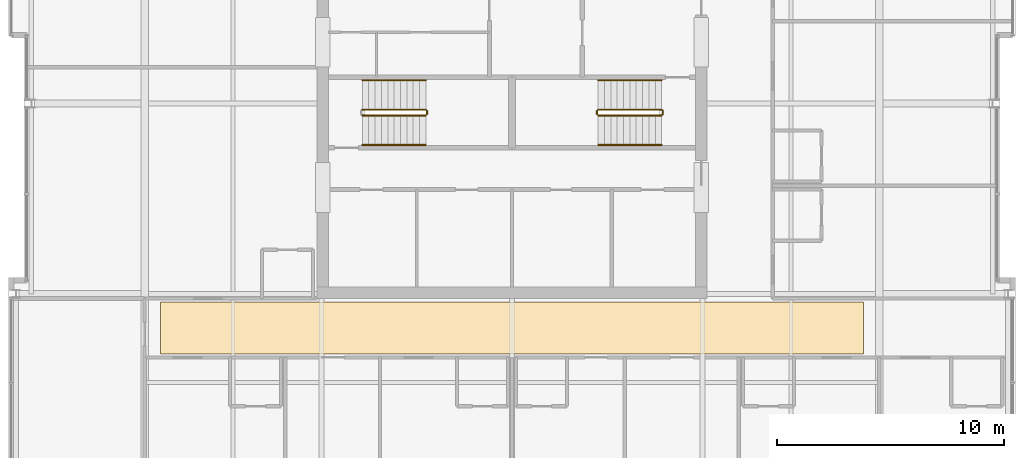
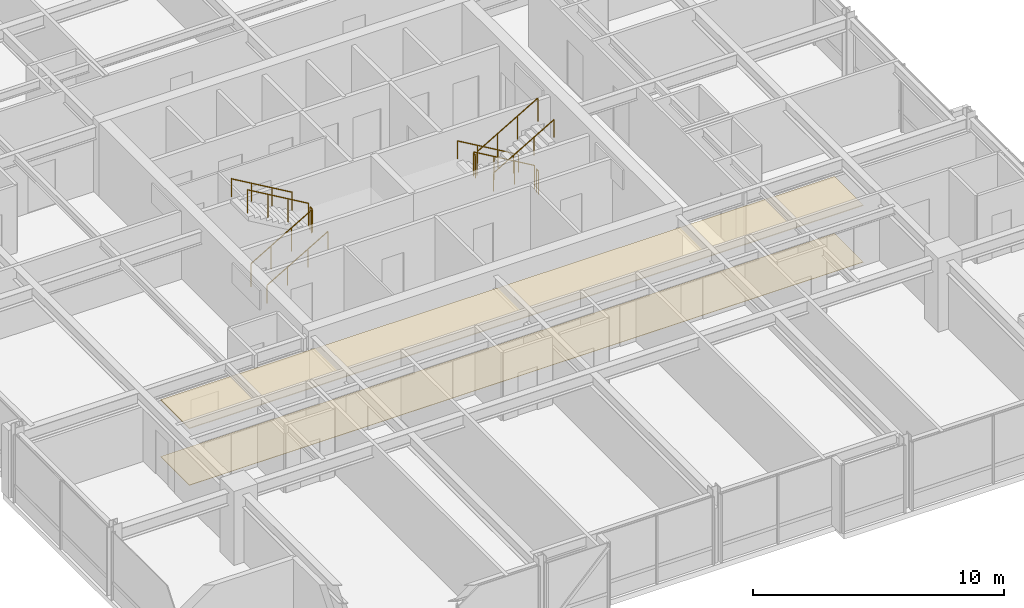
# One storey, part 33 of 34: 11 railings, 2 coverings.
"""IFC4 building model written with IfcOpenShell, lengths in metres."""

from ifc_helpers import new_model, si_unit, direction, frame, origin, origin_2d, place, context, subcontext, project, spatial, polyline, circle, outline, extrude, material, layer, layer_set, type_object, element, save


model = new_model("IFC4")

# Units and contexts
model_context = context("Model", 3, precision=1e-05, world=origin(), true_north=direction((0.0, 1.0)))
body_context = subcontext(model_context, "Body", "Model", "MODEL_VIEW")
ifc_project = project(units=[si_unit("LENGTHUNIT", "METRE"), si_unit("AREAUNIT", "SQUARE_METRE"), si_unit("VOLUMEUNIT", "CUBIC_METRE"), si_unit("PLANEANGLEUNIT", "RADIAN"), si_unit("MASSUNIT", "GRAM", prefix="KILO")], contexts=[model_context])

# Site, building, storey
site_placement = place(None, origin())
site = spatial("IfcSite", under=ifc_project, at=site_placement, CompositionType="ELEMENT")
building_placement = place(site_placement, origin())
building = spatial("IfcBuilding", under=site, at=building_placement, Name="Drelvath Grand Hotel", CompositionType="ELEMENT")
storey_placement = place(building_placement, frame((0.0, 0.0, 251.89990234375)))
storey = spatial("IfcBuildingStorey", under=building, at=storey_placement, Name="L66", CompositionType="ELEMENT", Elevation=251.89990234375)

# Railings
ifc_material_1 = material(Name="Painted Steel S275", Category="steel")
railing_type_1 = type_object("IfcRailingType", Name="Core Stair Wall Handrail 900", PredefinedType="HANDRAIL", material=ifc_material_1)
railing_1_placement = place(storey_placement, frame((-6.60009765625, 25.169921875, 0.163818359375)))
element("IfcRailing", 1, at=railing_1_placement, inside=storey, type_object=railing_type_1, Name="L66 ST-1 stair handrail 1", PredefinedType="HANDRAIL", context=body_context, shape_type="SweptSolid", body=[
    extrude(circle(Radius=0.02392578125, at=origin_2d()), frame((0.0, 0.0, 0.8759765625), z_axis=(0.863393664356, 0.0, 0.504530851732), x_axis=(0.0, 1.0, 0.0)), (0.0, 0.0, 1.0), 3.2431640625),
    extrude(circle(Radius=0.02099609375, at=origin_2d()), origin(), (0.0, 0.0, 1.0), 0.851806640625),
    extrude(circle(Radius=0.02099609375, at=origin_2d()), frame((0.933349609375, 0.0, 0.54541015625)), (0.0, 0.0, 1.0), 0.851806640625),
    extrude(circle(Radius=0.02099609375, at=origin_2d()), frame((1.86669921875, 0.0, 1.0908203125)), (0.0, 0.0, 1.0), 0.851806640625),
    extrude(circle(Radius=0.02099609375, at=origin_2d()), frame((2.800048828125, 0.0, 1.63623046875)), (0.0, 0.0, 1.0), 0.851806640625),
])
railing_2_placement = place(storey_placement, frame((-3.800048828125, 28.030029296875, 1.963623046875)))
element("IfcRailing", 2, at=railing_2_placement, inside=storey, type_object=railing_type_1, Name="L66 ST-1 stair handrail 2", PredefinedType="HANDRAIL", context=body_context, shape_type="SweptSolid", body=[
    extrude(circle(Radius=0.02392578125, at=origin_2d()), frame((0.0, 0.0, 0.8759765625), z_axis=(-0.863360870873, 0.0, 0.504586966384), x_axis=(0.0, -1.0, 0.0)), (0.0, 0.0, 1.0), 3.2431640625),
    extrude(circle(Radius=0.02099609375, at=origin_2d()), origin(), (0.0, 0.0, 1.0), 0.851806640625),
    extrude(circle(Radius=0.02099609375, at=origin_2d()), frame((-0.933349609375, 0.0, 0.54541015625)), (0.0, 0.0, 1.0), 0.851806640625),
    extrude(circle(Radius=0.02099609375, at=origin_2d()), frame((-1.86669921875, 0.0, 1.091064453125)), (0.0, 0.0, 1.0), 0.851806640625),
    extrude(circle(Radius=0.02099609375, at=origin_2d()), frame((-2.800048828125, 0.0, 1.636474609375)), (0.0, 0.0, 1.0), 0.851806640625),
])
railing_3_placement = place(storey_placement, frame((6.60009765625, 28.030029296875, 0.163818359375)))
element("IfcRailing", 3, at=railing_3_placement, inside=storey, type_object=railing_type_1, Name="L66 ST-2 stair handrail 1", PredefinedType="HANDRAIL", context=body_context, shape_type="SweptSolid", body=[
    extrude(circle(Radius=0.02392578125, at=origin_2d()), frame((0.0, 0.0, 0.8759765625), z_axis=(-0.863393664356, 0.0, 0.504530851732), x_axis=(0.0, -1.0, 0.0)), (0.0, 0.0, 1.0), 3.2431640625),
    extrude(circle(Radius=0.02099609375, at=origin_2d()), origin(), (0.0, 0.0, 1.0), 0.851806640625),
    extrude(circle(Radius=0.02099609375, at=origin_2d()), frame((-0.933349609375, 0.0, 0.54541015625)), (0.0, 0.0, 1.0), 0.851806640625),
    extrude(circle(Radius=0.02099609375, at=origin_2d()), frame((-1.86669921875, 0.0, 1.0908203125)), (0.0, 0.0, 1.0), 0.851806640625),
    extrude(circle(Radius=0.02099609375, at=origin_2d()), frame((-2.800048828125, 0.0, 1.63623046875)), (0.0, 0.0, 1.0), 0.851806640625),
])
railing_4_placement = place(storey_placement, frame((3.800048828125, 25.169921875, 1.963623046875)))
element("IfcRailing", 4, at=railing_4_placement, inside=storey, type_object=railing_type_1, Name="L66 ST-2 stair handrail 2", PredefinedType="HANDRAIL", context=body_context, shape_type="SweptSolid", body=[
    extrude(circle(Radius=0.02392578125, at=origin_2d()), frame((0.0, 0.0, 0.8759765625), z_axis=(0.863360870873, 0.0, 0.504586966384), x_axis=(0.0, 1.0, 0.0)), (0.0, 0.0, 1.0), 3.2431640625),
    extrude(circle(Radius=0.02099609375, at=origin_2d()), origin(), (0.0, 0.0, 1.0), 0.851806640625),
    extrude(circle(Radius=0.02099609375, at=origin_2d()), frame((0.933349609375, 0.0, 0.54541015625)), (0.0, 0.0, 1.0), 0.851806640625),
    extrude(circle(Radius=0.02099609375, at=origin_2d()), frame((1.86669921875, 0.0, 1.091064453125)), (0.0, 0.0, 1.0), 0.851806640625),
    extrude(circle(Radius=0.02099609375, at=origin_2d()), frame((2.800048828125, 0.0, 1.636474609375)), (0.0, 0.0, 1.0), 0.851806640625),
])
railing_type_2 = type_object("IfcRailingType", Name="Core Stair Well Guardrail 1100", PredefinedType="GUARDRAIL", material=ifc_material_1)
railing_5_placement = place(storey_placement, frame((-6.60009765625, 26.469970703125, 0.163818359375)))
element("IfcRailing", 5, at=railing_5_placement, inside=storey, type_object=railing_type_2, Name="L66 ST-1 stair guard 1", PredefinedType="GUARDRAIL", context=body_context, shape_type="SweptSolid", body=[
    extrude(circle(Radius=0.02392578125, at=origin_2d()), frame((0.0, 0.0, 1.1259765625), z_axis=(0.863393664356, 0.0, 0.504530851732), x_axis=(0.0, 1.0, 0.0)), (0.0, 0.0, 1.0), 3.2431640625),
    extrude(circle(Radius=0.02099609375, at=origin_2d()), origin(), (0.0, 0.0, 1.0), 1.101806640625),
    extrude(circle(Radius=0.02099609375, at=origin_2d()), frame((0.933349609375, 0.0, 0.54541015625)), (0.0, 0.0, 1.0), 1.101806640625),
    extrude(circle(Radius=0.02099609375, at=origin_2d()), frame((1.86669921875, 0.0, 1.0908203125)), (0.0, 0.0, 1.0), 1.101806640625),
    extrude(circle(Radius=0.02099609375, at=origin_2d()), frame((2.800048828125, 0.0, 1.63623046875)), (0.0, 0.0, 1.0), 1.101806640625),
])
railing_6_placement = place(storey_placement, frame((-3.75, 26.52001953125, 1.800048828125)))
element("IfcRailing", 6, at=railing_6_placement, inside=storey, type_object=railing_type_2, Name="L66 ST-1 stair guard 2", PredefinedType="GUARDRAIL", context=body_context, shape_type="SweptSolid", body=[
    extrude(circle(Radius=0.02392578125, at=origin_2d()), frame((0.0, 0.0, 1.1259765625), z_axis=(0.0, 1.0, 0.0), x_axis=(-1.0, 0.0, 0.0)), (0.0, 0.0, 1.0), 0.159912109375),
    extrude(circle(Radius=0.02099609375, at=origin_2d()), origin(), (0.0, 0.0, 1.0), 1.101806640625),
    extrude(circle(Radius=0.02099609375, at=origin_2d()), frame((0.0, 0.159912109375, 0.0)), (0.0, 0.0, 1.0), 1.101806640625),
])
railing_7_placement = place(storey_placement, frame((-3.800048828125, 26.72998046875, 1.963623046875)))
element("IfcRailing", 7, at=railing_7_placement, inside=storey, type_object=railing_type_2, Name="L66 ST-1 stair guard 3", PredefinedType="GUARDRAIL", context=body_context, shape_type="SweptSolid", body=[
    extrude(circle(Radius=0.02392578125, at=origin_2d()), frame((0.0, 0.0, 1.1259765625), z_axis=(-0.863360870873, 0.0, 0.504586966384), x_axis=(0.0, -1.0, 0.0)), (0.0, 0.0, 1.0), 3.2431640625),
    extrude(circle(Radius=0.02099609375, at=origin_2d()), origin(), (0.0, 0.0, 1.0), 1.101806640625),
    extrude(circle(Radius=0.02099609375, at=origin_2d()), frame((-0.933349609375, 0.0, 0.54541015625)), (0.0, 0.0, 1.0), 1.101806640625),
    extrude(circle(Radius=0.02099609375, at=origin_2d()), frame((-1.86669921875, 0.0, 1.091064453125)), (0.0, 0.0, 1.0), 1.101806640625),
    extrude(circle(Radius=0.02099609375, at=origin_2d()), frame((-2.800048828125, 0.0, 1.636474609375)), (0.0, 0.0, 1.0), 1.101806640625),
])
railing_8_placement = place(storey_placement, frame((6.60009765625, 26.72998046875, 0.163818359375)))
element("IfcRailing", 8, at=railing_8_placement, inside=storey, type_object=railing_type_2, Name="L66 ST-2 stair guard 1", PredefinedType="GUARDRAIL", context=body_context, shape_type="SweptSolid", body=[
    extrude(circle(Radius=0.02392578125, at=origin_2d()), frame((0.0, 0.0, 1.1259765625), z_axis=(-0.863393664356, 0.0, 0.504530851732), x_axis=(0.0, -1.0, 0.0)), (0.0, 0.0, 1.0), 3.2431640625),
    extrude(circle(Radius=0.02099609375, at=origin_2d()), origin(), (0.0, 0.0, 1.0), 1.101806640625),
    extrude(circle(Radius=0.02099609375, at=origin_2d()), frame((-0.933349609375, 0.0, 0.54541015625)), (0.0, 0.0, 1.0), 1.101806640625),
    extrude(circle(Radius=0.02099609375, at=origin_2d()), frame((-1.86669921875, 0.0, 1.0908203125)), (0.0, 0.0, 1.0), 1.101806640625),
    extrude(circle(Radius=0.02099609375, at=origin_2d()), frame((-2.800048828125, 0.0, 1.63623046875)), (0.0, 0.0, 1.0), 1.101806640625),
])
railing_9_placement = place(storey_placement, frame((3.75, 26.679931640625, 1.800048828125)))
element("IfcRailing", 9, at=railing_9_placement, inside=storey, type_object=railing_type_2, Name="L66 ST-2 stair guard 2", PredefinedType="GUARDRAIL", context=body_context, shape_type="SweptSolid", body=[
    extrude(circle(Radius=0.02392578125, at=origin_2d()), frame((0.0, 0.0, 1.1259765625), z_axis=(0.0, -1.0, 0.0), x_axis=(1.0, 0.0, 0.0)), (0.0, 0.0, 1.0), 0.159912109375),
    extrude(circle(Radius=0.02099609375, at=origin_2d()), origin(), (0.0, 0.0, 1.0), 1.101806640625),
    extrude(circle(Radius=0.02099609375, at=origin_2d()), frame((0.0, -0.159912109375, 0.0)), (0.0, 0.0, 1.0), 1.101806640625),
])
railing_10_placement = place(storey_placement, frame((3.800048828125, 26.469970703125, 1.963623046875)))
element("IfcRailing", 10, at=railing_10_placement, inside=storey, type_object=railing_type_2, Name="L66 ST-2 stair guard 3", PredefinedType="GUARDRAIL", context=body_context, shape_type="SweptSolid", body=[
    extrude(circle(Radius=0.02392578125, at=origin_2d()), frame((0.0, 0.0, 1.1259765625), z_axis=(0.863360870873, 0.0, 0.504586966384), x_axis=(0.0, 1.0, 0.0)), (0.0, 0.0, 1.0), 3.2431640625),
    extrude(circle(Radius=0.02099609375, at=origin_2d()), origin(), (0.0, 0.0, 1.0), 1.101806640625),
    extrude(circle(Radius=0.02099609375, at=origin_2d()), frame((0.933349609375, 0.0, 0.54541015625)), (0.0, 0.0, 1.0), 1.101806640625),
    extrude(circle(Radius=0.02099609375, at=origin_2d()), frame((1.86669921875, 0.0, 1.091064453125)), (0.0, 0.0, 1.0), 1.101806640625),
    extrude(circle(Radius=0.02099609375, at=origin_2d()), frame((2.800048828125, 0.0, 1.636474609375)), (0.0, 0.0, 1.0), 1.101806640625),
])
railing_11_placement = place(storey_placement, frame((6.64990234375, 26.679931640625, 0.0)))
element("IfcRailing", 11, at=railing_11_placement, inside=storey, type_object=railing_type_2, Name="L66 ST-2 stair guard 4", PredefinedType="GUARDRAIL", context=body_context, shape_type="SweptSolid", body=[
    extrude(circle(Radius=0.02392578125, at=origin_2d()), frame((0.0, 0.0, 1.1259765625), z_axis=(0.0, -1.0, 0.0), x_axis=(1.0, 0.0, 0.0)), (0.0, 0.0, 1.0), 0.159912109375),
    extrude(circle(Radius=0.02099609375, at=origin_2d()), origin(), (0.0, 0.0, 1.0), 1.101806640625),
    extrude(circle(Radius=0.02099609375, at=origin_2d()), frame((0.0, -0.159912109375, 0.0)), (0.0, 0.0, 1.0), 1.101806640625),
])

# Coverings
ifc_material_2 = material(Name="Woven Wool Broadloom Carpet")
ifc_layer_1 = layer(ifc_material_2, 0.01806640625)
ifc_layer_set_1 = layer_set([ifc_layer_1], Name="Woven Wool Broadloom Carpet")
covering_type_1 = type_object("IfcCoveringType", Name="Hospitality Broadloom Carpet 18", PredefinedType="FLOORING", material=ifc_layer_set_1)
covering_1_placement = place(storey_placement, origin())
element("IfcCovering", 12, at=covering_1_placement, inside=storey, type_object=covering_type_1, Name="L66 Upper Gallery Carpet", PredefinedType="FLOORING", context=body_context, shape_type="SweptSolid", body=[
    extrude(outline(polyline([(15.5, 15.949951171875), (15.5, 18.25), (-15.5, 18.25), (-15.5, 15.949951171875), (15.5, 15.949951171875)])), origin(), (0.0, 0.0, 1.0), 0.01806640625),
])
ifc_material_3 = material(Name="Anodised Aluminium Alloy", Category="aluminium")
ifc_layer_2 = layer(ifc_material_3, 0.0400390625)
ifc_layer_set_2 = layer_set([ifc_layer_2], Name="Anodised Aluminium Alloy")
covering_type_2 = type_object("IfcCoveringType", Name="Perforated Metal Corridor Ceiling 40", PredefinedType="CEILING", material=ifc_layer_set_2)
covering_2_placement = place(storey_placement, frame((0.0, 0.0, 2.75)))
element("IfcCovering", 13, at=covering_2_placement, inside=storey, type_object=covering_type_2, Name="L66 Upper Gallery Ceiling", PredefinedType="CEILING", context=body_context, shape_type="SweptSolid", body=[
    extrude(outline(polyline([(15.5, 15.949951171875), (15.5, 18.25), (-15.5, 18.25), (-15.5, 15.949951171875), (15.5, 15.949951171875)])), origin(), (0.0, 0.0, 1.0), 0.0400390625),
])

save(model, "model.ifc")
